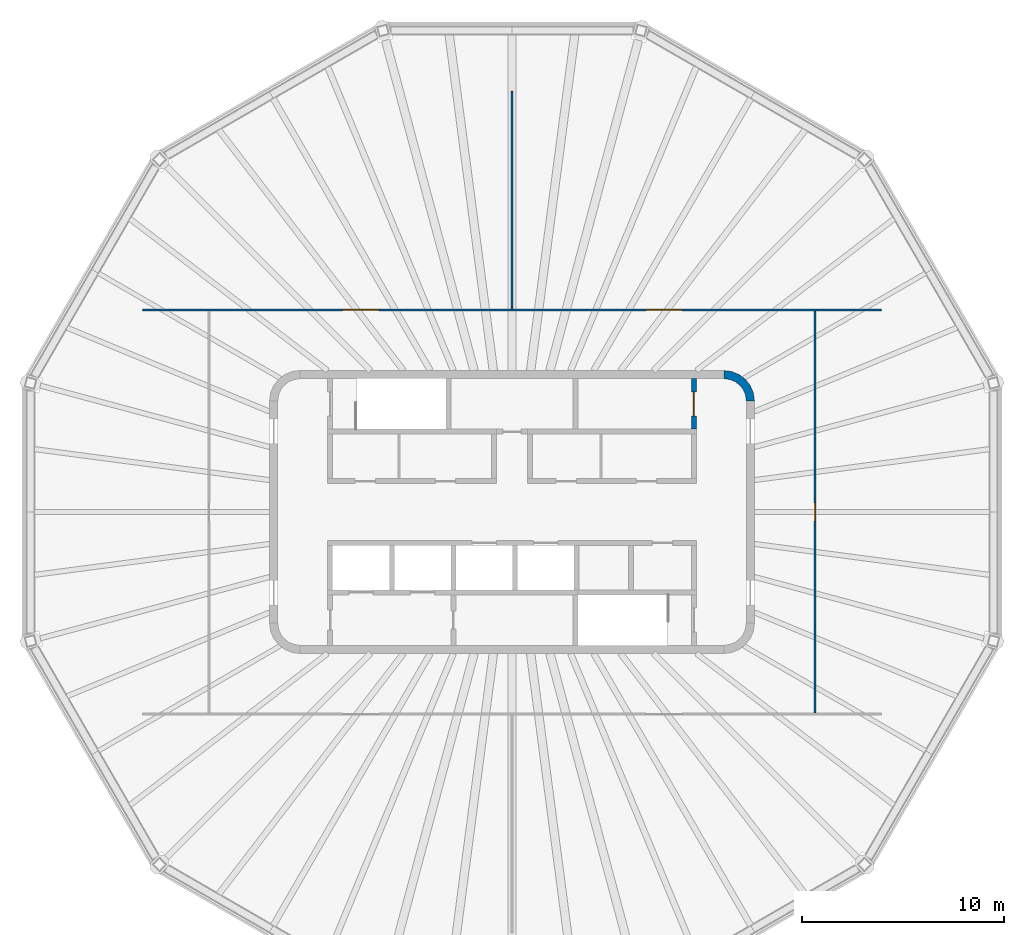
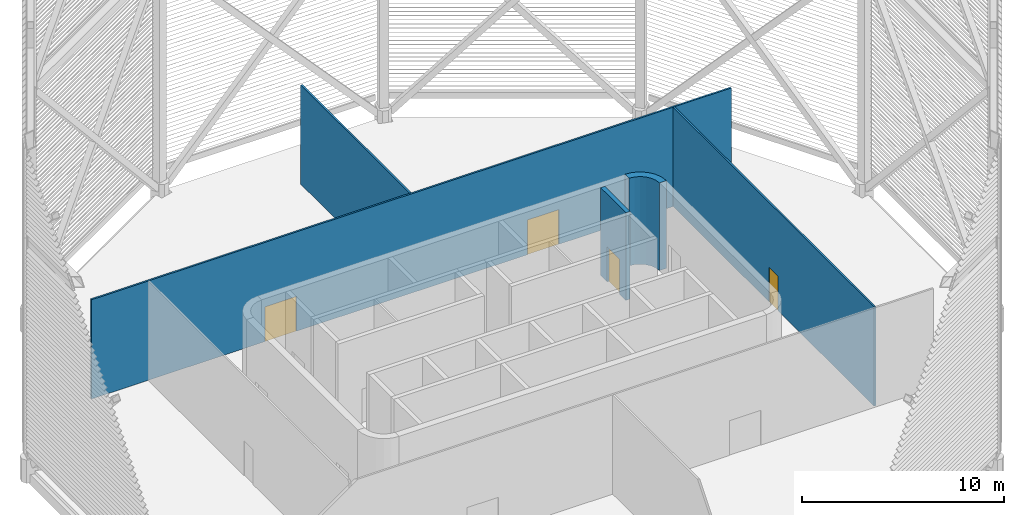
# One storey, part 6 of 18: 5 walls, 4 doors, 4 openings.
"""IFC4 building model written with IfcOpenShell, lengths in metres."""

from ifc_helpers import new_model, si_unit, direction, frame, frame_2d, origin, place, context, subcontext, project, spatial, polyline, rectangle, outline, extrude, material, layer, layer_set, type_object, element, fill, save


model = new_model("IFC4")

# Units and contexts
model_context = context("Model", 3, precision=1e-05, world=origin(), true_north=direction((0.0, 1.0)))
body_context = subcontext(model_context, "Body", "Model", "MODEL_VIEW")
ifc_project = project(units=[si_unit("LENGTHUNIT", "METRE"), si_unit("AREAUNIT", "SQUARE_METRE"), si_unit("VOLUMEUNIT", "CUBIC_METRE"), si_unit("PLANEANGLEUNIT", "RADIAN"), si_unit("MASSUNIT", "GRAM", prefix="KILO")], contexts=[model_context])

# Site, building, storey
site_placement = place(None, origin())
site = spatial("IfcSite", under=ifc_project, at=site_placement, CompositionType="ELEMENT")
building_placement = place(site_placement, origin())
building = spatial("IfcBuilding", under=site, at=building_placement, Name="Sahrelin Media Tower", CompositionType="ELEMENT")
storey_placement = place(building_placement, frame((0.0, 0.0, 335.800048828125)))
storey = spatial("IfcBuildingStorey", under=building, at=storey_placement, Name="Crown", CompositionType="ELEMENT", Elevation=335.800048828125)

# Wall
ifc_material_1 = material(Name="Concrete C60/75", Category="concrete")
ifc_layer_1 = layer(ifc_material_1, 0.39990234375)
ifc_layer_set_1 = layer_set([ifc_layer_1], Name="Core wall 400")
wall_type_1 = type_object("IfcWallType", Name="Core wall 400", PredefinedType="SHEAR", material=ifc_layer_set_1)
wall_1_placement = place(storey_placement, origin())
element("IfcWall", 1, at=wall_1_placement, inside=storey, type_object=wall_type_1, Name="Core wall corner NE Crown", PredefinedType="SHEAR", context=body_context, shape_type="SweptSolid", body=[
    extrude(outline(polyline([(10.5, 7.0), (10.5, 6.596435546875), (10.78369140625, 6.55908203125), (11.04833984375, 6.44970703125), (11.275390625, 6.275390625), (11.44970703125, 6.04833984375), (11.55908203125, 5.78369140625), (11.596435546875, 5.5), (12.0, 5.5), (11.948974609375, 5.88818359375), (11.799072265625, 6.25), (11.560791015625, 6.560791015625), (11.25, 6.799072265625), (10.88818359375, 6.948974609375), (10.5, 7.0)])), origin(), (0.0, 0.0, 1.0), 5.300048828125),
])

# Wall, openings, doors
ifc_material_2 = material(Name="Gypsum board partition")
ifc_layer_2 = layer(ifc_material_2, 0.10009765625)
ifc_layer_set_2 = layer_set([ifc_layer_2], Name="Partition 100")
wall_type_2 = type_object("IfcWallType", Name="Partition 100", PredefinedType="PARTITIONING", material=ifc_layer_set_2)
wall_2_placement = place(storey_placement, frame((-18.279052734375, 10.0, 0.0), z_axis=(0.0, 0.0, 1.0), x_axis=(1.0, 0.0, 0.0)))
wall_2 = element("IfcWall", 2, at=wall_2_placement, inside=storey, type_object=wall_type_2, Name="Wall", PredefinedType="PARTITIONING", context=body_context, shape_type="SweptSolid", body=[
    extrude(rectangle(XDim=36.55810546875, YDim=0.10009765625, at=frame_2d((18.279052734375, 0.0))), origin(), (0.0, 0.0, 1.0), 6.0),
])
opening_1_placement = place(wall_2_placement, frame((9.89990234375, 0.0, 0.0)))
opening_1 = element("IfcOpeningElement", 3, at=opening_1_placement, cuts=wall_2, Name="Opening Crown-D16", PredefinedType="OPENING", context=body_context, shape_type="SweptSolid", body=[
    extrude(rectangle(XDim=1.800048828125, YDim=2.10009765625, at=frame_2d((0.89990234375, 1.050048828125))), frame((0.0, 0.050048828125, 0.0), z_axis=(0.0, -1.0, 0.0), x_axis=(1.0, 0.0, 0.0)), (0.0, 0.0, 1.0), 0.10009765625),
])
opening_2_placement = place(wall_2_placement, frame((24.89990234375, 0.0, 0.0)))
opening_2 = element("IfcOpeningElement", 4, at=opening_2_placement, cuts=wall_2, Name="Opening Crown-D17", PredefinedType="OPENING", context=body_context, shape_type="SweptSolid", body=[
    extrude(rectangle(XDim=1.800048828125, YDim=2.10009765625, at=frame_2d((0.89990234375, 1.050048828125))), frame((0.0, 0.050048828125, 0.0), z_axis=(0.0, -1.0, 0.0), x_axis=(1.0, 0.0, 0.0)), (0.0, 0.0, 1.0), 0.10009765625),
])
ifc_material_3 = material(Name="Timber door leaf", Category="wood")
door_type_1 = type_object("IfcDoorType", Name="Double door 1800 x 2100", OperationType="DOUBLE_DOOR_SINGLE_SWING", PredefinedType="DOOR", material=ifc_material_3)
door_1_placement = place(opening_1_placement, origin())
door_1 = element("IfcDoor", 5, at=door_1_placement, inside=storey, type_object=door_type_1, Name="Double door", OperationType="DOUBLE_DOOR_SINGLE_SWING", OverallHeight=2.10009765625, OverallWidth=1.800048828125, PredefinedType="DOOR", context=body_context, shape_type="SweptSolid", body=[
    extrude(rectangle(XDim=1.800048828125, YDim=2.10009765625, at=frame_2d((0.89990234375, 1.050048828125))), frame((0.0, 0.02490234375, 0.0), z_axis=(0.0, -1.0, 0.0), x_axis=(1.0, 0.0, 0.0)), (0.0, 0.0, 1.0), 0.050048828125),
])
fill(opening_1, door_1)
door_2_placement = place(opening_2_placement, origin())
door_2 = element("IfcDoor", 6, at=door_2_placement, inside=storey, type_object=door_type_1, Name="Double door", OperationType="DOUBLE_DOOR_SINGLE_SWING", OverallHeight=2.10009765625, OverallWidth=1.800048828125, PredefinedType="DOOR", context=body_context, shape_type="SweptSolid", body=[
    extrude(rectangle(XDim=1.800048828125, YDim=2.10009765625, at=frame_2d((0.89990234375, 1.050048828125))), frame((0.0, 0.02490234375, 0.0), z_axis=(0.0, -1.0, 0.0), x_axis=(1.0, 0.0, 0.0)), (0.0, 0.0, 1.0), 0.050048828125),
])
fill(opening_2, door_2)

# Wall, opening, door
wall_3_placement = place(storey_placement, frame((15.0, -9.949951171875, 0.0), z_axis=(0.0, 0.0, 1.0), x_axis=(0.0, 1.0, 0.0)))
wall_3 = element("IfcWall", 7, at=wall_3_placement, inside=storey, type_object=wall_type_2, Name="Wall", PredefinedType="PARTITIONING", context=body_context, shape_type="SweptSolid", body=[
    extrude(rectangle(XDim=19.89990234375, YDim=0.10009765625, at=frame_2d((9.949951171875, 0.0))), origin(), (0.0, 0.0, 1.0), 6.0),
])
opening_3_placement = place(wall_3_placement, frame((9.5, 0.0, 0.0)))
opening_3 = element("IfcOpeningElement", 8, at=opening_3_placement, cuts=wall_3, Name="Opening Crown-D20", PredefinedType="OPENING", context=body_context, shape_type="SweptSolid", body=[
    extrude(rectangle(XDim=0.89990234375, YDim=2.10009765625, at=frame_2d((0.449951171875, 1.050048828125))), frame((0.0, 0.050048828125, 0.0), z_axis=(0.0, -1.0, 0.0), x_axis=(1.0, 0.0, 0.0)), (0.0, 0.0, 1.0), 0.10009765625),
])
door_type_2 = type_object("IfcDoorType", Name="Single door 900 x 2100", OperationType="NOTDEFINED", PredefinedType="DOOR", material=ifc_material_3)
door_3_placement = place(opening_3_placement, origin())
door_3 = element("IfcDoor", 9, at=door_3_placement, inside=storey, type_object=door_type_2, Name="Single door", OperationType="SINGLE_SWING_RIGHT", OverallHeight=2.10009765625, OverallWidth=0.89990234375, PredefinedType="DOOR", context=body_context, shape_type="SweptSolid", body=[
    extrude(rectangle(XDim=0.89990234375, YDim=2.10009765625, at=frame_2d((0.449951171875, 1.050048828125))), frame((0.0, 0.02490234375, 0.0), z_axis=(0.0, -1.0, 0.0), x_axis=(1.0, 0.0, 0.0)), (0.0, 0.0, 1.0), 0.050048828125),
])
fill(opening_3, door_3)

# Wall
wall_4_placement = place(storey_placement, frame((0.0, 10.050048828125, 0.0), z_axis=(0.0, 0.0, 1.0), x_axis=(0.0, 1.0, 0.0)))
element("IfcWall", 10, at=wall_4_placement, inside=storey, type_object=wall_type_2, Name="Wall", PredefinedType="PARTITIONING", context=body_context, shape_type="SweptSolid", body=[
    extrude(rectangle(XDim=10.780029296875, YDim=0.10009765625, at=frame_2d((5.39013671875, 0.0))), origin(), (0.0, 0.0, 1.0), 6.0),
])

# Wall, opening, door
ifc_layer_3 = layer(ifc_material_1, 0.25)
ifc_layer_set_3 = layer_set([ifc_layer_3], Name="Stair enclosure wall 250")
wall_type_3 = type_object("IfcWallType", Name="Stair enclosure wall 250", PredefinedType="SOLIDWALL", material=ifc_layer_set_3)
wall_5_placement = place(storey_placement, frame((9.0, 4.10009765625, 0.0), z_axis=(0.0, 0.0, 1.0), x_axis=(0.0, 1.0, 0.0)))
wall_5 = element("IfcWall", 11, at=wall_5_placement, inside=storey, type_object=wall_type_3, Name="Stair enclosure wall", PredefinedType="SOLIDWALL", context=body_context, shape_type="SweptSolid", body=[
    extrude(rectangle(XDim=2.5, YDim=0.25, at=frame_2d((1.25, 0.0))), origin(), (0.0, 0.0, 1.0), 5.300048828125),
])
opening_4_placement = place(wall_5_placement, frame((0.64990234375, 0.0, 0.0)))
opening_4 = element("IfcOpeningElement", 12, at=opening_4_placement, cuts=wall_5, Name="Opening Crown-D02", PredefinedType="OPENING", context=body_context, shape_type="SweptSolid", body=[
    extrude(rectangle(XDim=1.199951171875, YDim=2.10009765625, at=frame_2d((0.60009765625, 1.050048828125))), frame((0.0, 0.125, 0.0), z_axis=(0.0, -1.0, 0.0), x_axis=(1.0, 0.0, 0.0)), (0.0, 0.0, 1.0), 0.25),
])
ifc_material_4 = material(Name="Steel fire door leaf", Category="steel")
door_type_3 = type_object("IfcDoorType", Name="Stair door 1200 x 2100 EI 120", OperationType="NOTDEFINED", PredefinedType="DOOR", material=ifc_material_4)
door_4_placement = place(opening_4_placement, origin())
door_4 = element("IfcDoor", 13, at=door_4_placement, inside=storey, type_object=door_type_3, Name="Stair door ST3", OperationType="SINGLE_SWING_LEFT", OverallHeight=2.10009765625, OverallWidth=1.199951171875, PredefinedType="DOOR", context=body_context, shape_type="SweptSolid", body=[
    extrude(rectangle(XDim=1.199951171875, YDim=2.10009765625, at=frame_2d((0.60009765625, 1.050048828125))), frame((0.0, 0.02490234375, 0.0), z_axis=(0.0, -1.0, 0.0), x_axis=(1.0, 0.0, 0.0)), (0.0, 0.0, 1.0), 0.050048828125),
])
fill(opening_4, door_4)

save(model, "model.ifc")
